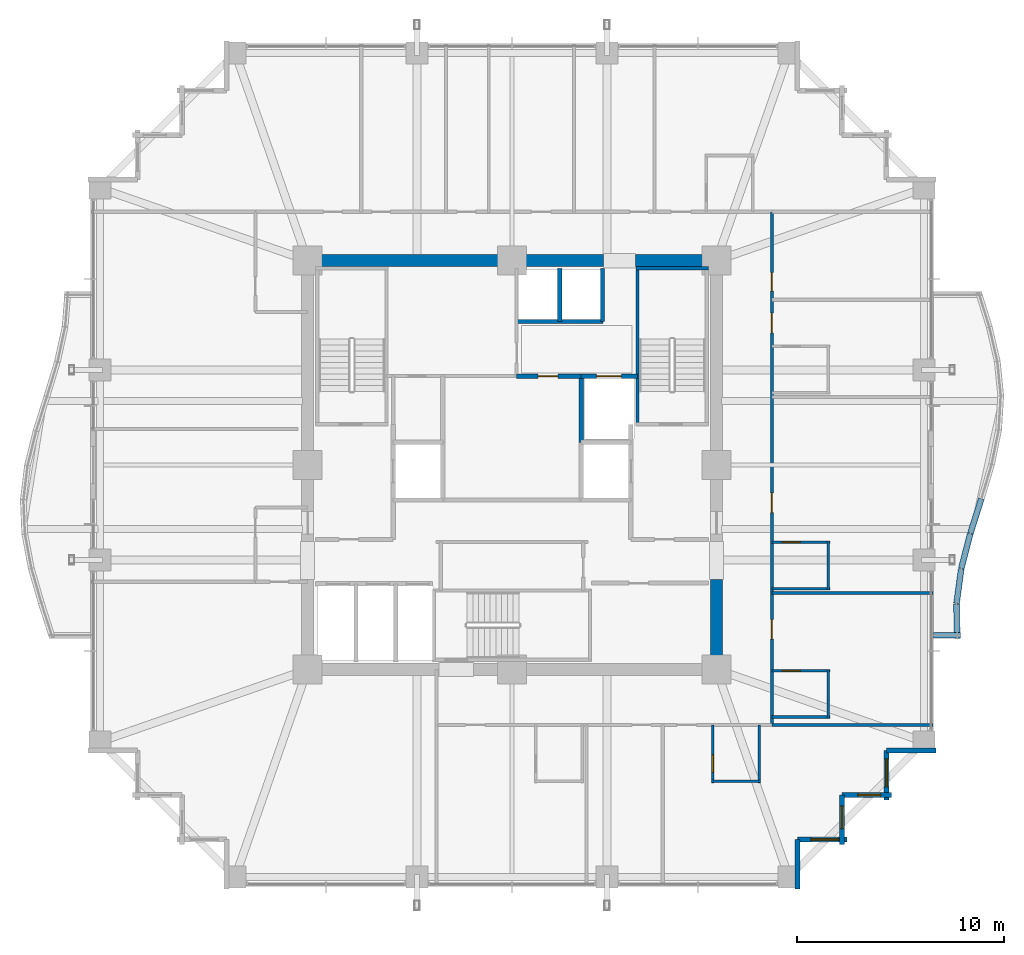
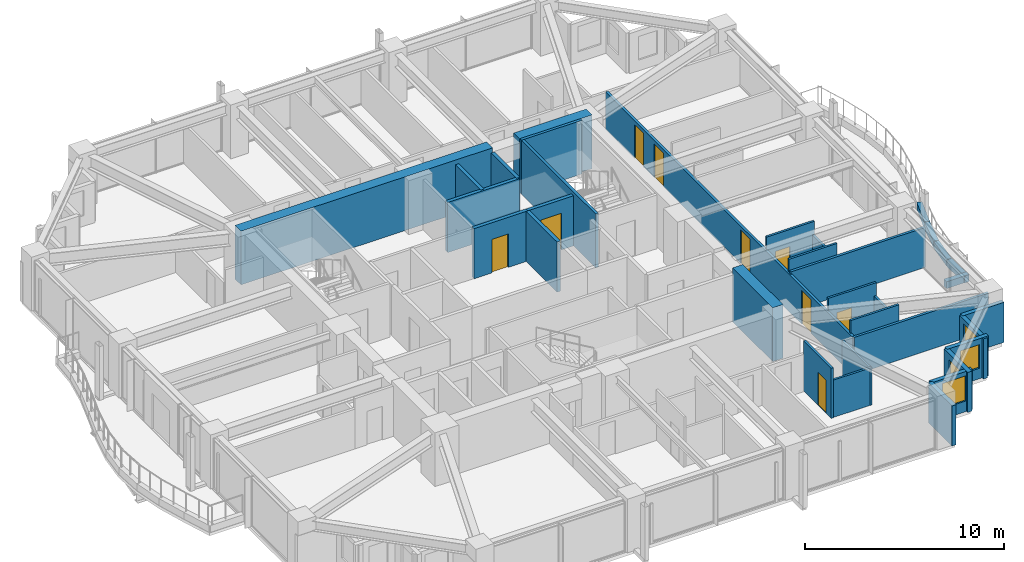
# One storey, part 33 of 37: 34 walls, 9 doors, 4 windows, 13 openings.
"""IFC4 building model written with IfcOpenShell, lengths in metres."""

from ifc_helpers import new_model, si_unit, direction, frame, frame_2d, origin, place, context, subcontext, project, spatial, rectangle, extrude, material, layer, layer_set, type_object, element, fill, save


model = new_model("IFC4")

# Units and contexts
model_context = context("Model", 3, precision=1e-05, world=origin(), true_north=direction((0.0, 1.0)))
body_context = subcontext(model_context, "Body", "Model", "MODEL_VIEW")
ifc_project = project(units=[si_unit("LENGTHUNIT", "METRE"), si_unit("AREAUNIT", "SQUARE_METRE"), si_unit("VOLUMEUNIT", "CUBIC_METRE"), si_unit("PLANEANGLEUNIT", "RADIAN"), si_unit("MASSUNIT", "GRAM", prefix="KILO")], contexts=[model_context])

# Site, building, storey
site_placement = place(None, origin())
site = spatial("IfcSite", under=ifc_project, at=site_placement, CompositionType="ELEMENT")
building_placement = place(site_placement, origin())
building = spatial("IfcBuilding", under=site, at=building_placement, Name="Kolvaren Belvedere", CompositionType="ELEMENT")
storey_placement = place(building_placement, frame((0.0, 0.0, 75.5)))
storey = spatial("IfcBuildingStorey", under=building, at=storey_placement, Name="L21", CompositionType="ELEMENT", Elevation=75.5)

# Walls
ifc_material_1 = material(Name="Concrete C60/75", Category="concrete")
ifc_layer_1 = layer(ifc_material_1, 0.60009765625)
ifc_layer_set_1 = layer_set([ifc_layer_1], Name="Concrete C60/75")
wall_type_1 = type_object("IfcWallType", Name="CW-CORE-600", PredefinedType="SHEAR", material=ifc_layer_set_1)
wall_1_placement = place(storey_placement, frame((-10.199951171875, 9.89990234375, 0.0), z_axis=(0.0, 0.0, 1.0), x_axis=(1.0, 0.0, 0.0)))
element("IfcWall", 1, at=wall_1_placement, inside=storey, type_object=wall_type_1, Name="L21 North Core Shear Wall 1", PredefinedType="SHEAR", context=body_context, shape_type="SweptSolid", body=[
    extrude(rectangle(XDim=14.619873046875, YDim=0.60009765625, at=frame_2d((7.31005859375, 0.0))), origin(), (0.0, 0.0, 1.0), 3.300048828125),
])
wall_2_placement = place(storey_placement, frame((5.97998046875, 9.89990234375, 0.0), z_axis=(0.0, 0.0, 1.0), x_axis=(1.0, 0.0, 0.0)))
element("IfcWall", 2, at=wall_2_placement, inside=storey, type_object=wall_type_1, Name="L21 North Core Shear Wall 2", PredefinedType="SHEAR", context=body_context, shape_type="SweptSolid", body=[
    extrude(rectangle(XDim=4.219970703125, YDim=0.60009765625, at=frame_2d((2.10986328125, 0.0))), origin(), (0.0, 0.0, 1.0), 3.300048828125),
])
wall_3_placement = place(storey_placement, frame((9.89990234375, -9.60009765625, 0.0), z_axis=(0.0, 0.0, 1.0), x_axis=(0.0, 1.0, 0.0)))
element("IfcWall", 3, at=wall_3_placement, inside=storey, type_object=wall_type_1, Name="L21 East Core Shear Wall 1", PredefinedType="SHEAR", context=body_context, shape_type="SweptSolid", body=[
    extrude(rectangle(XDim=4.050048828125, YDim=0.60009765625, at=frame_2d((2.02490234375, 0.0))), origin(), (0.0, 0.0, 1.0), 3.300048828125),
])
ifc_material_2 = material(Name="Concrete C50/60", Category="concrete")
ifc_layer_2 = layer(ifc_material_2, 0.159912109375)
ifc_layer_set_2 = layer_set([ifc_layer_2], Name="Concrete C50/60")
wall_type_2 = type_object("IfcWallType", Name="CW-STAIR-160", PredefinedType="SHEAR", material=ifc_layer_set_2)
wall_4_placement = place(storey_placement, frame((6.0, 9.530029296875, 0.0), z_axis=(0.0, 0.0, 1.0), x_axis=(1.0, 0.0, 0.0)))
element("IfcWall", 4, at=wall_4_placement, inside=storey, type_object=wall_type_2, Name="L21 Stair ST-2 North Shear Wall", PredefinedType="SHEAR", context=body_context, shape_type="SweptSolid", body=[
    extrude(rectangle(XDim=3.52001953125, YDim=0.159912109375, at=frame_2d((1.760009765625, 0.0))), origin(), (0.0, 0.0, 1.0), 3.300048828125),
])
wall_5_placement = place(storey_placement, frame((6.080078125, 1.969970703125, 0.0), z_axis=(0.0, 0.0, 1.0), x_axis=(0.0, 1.0, 0.0)))
element("IfcWall", 5, at=wall_5_placement, inside=storey, type_object=wall_type_2, Name="L21 Stair ST-2 West Shear Wall", PredefinedType="SHEAR", context=body_context, shape_type="SweptSolid", body=[
    extrude(rectangle(XDim=7.56005859375, YDim=0.159912109375, at=frame_2d((3.780029296875, 0.0))), origin(), (0.0, 0.0, 1.0), 3.300048828125),
])

# Wall, openings, doors
ifc_material_3 = material(Name="Gypsum fire-rated partition assembly", Category="gypsum")
ifc_layer_3 = layer(ifc_material_3, 0.14990234375)
ifc_layer_set_3 = layer_set([ifc_layer_3], Name="Gypsum fire-rated partition assembly")
wall_type_3 = type_object("IfcWallType", Name="WL-CORR-150", PredefinedType="PARTITIONING", material=ifc_layer_set_3)
wall_6_placement = place(storey_placement, frame((12.580078125, -12.580078125, 0.0), z_axis=(0.0, 0.0, 1.0), x_axis=(0.0, 1.0, 0.0)))
wall_6 = element("IfcWall", 6, at=wall_6_placement, inside=storey, type_object=wall_type_3, Name="L21 East Corridor Wall", PredefinedType="PARTITIONING", context=body_context, shape_type="SweptSolid", body=[
    extrude(rectangle(XDim=24.840087890625, YDim=0.14990234375, at=frame_2d((12.419921875, 0.0))), origin(), (0.0, 0.0, 1.0), 2.2919921875),
])
opening_1_placement = place(wall_6_placement, frame((4.14892578125, 0.0, 0.0)))
opening_1 = element("IfcOpeningElement", 7, at=opening_1_placement, cuts=wall_6, Name="Opening D-FD60", PredefinedType="OPENING", context=body_context, shape_type="SweptSolid", body=[
    extrude(rectangle(XDim=0.949951171875, YDim=2.06005859375, at=frame_2d((0.47509765625, 1.030029296875))), frame((0.0, 0.0849609375, 0.0), z_axis=(0.0, -1.0, 0.0), x_axis=(1.0, 0.0, 0.0)), (0.0, 0.0, 1.0), 0.169921875),
])
opening_2_placement = place(wall_6_placement, frame((10.279541015625, 0.0, 0.0)))
opening_2 = element("IfcOpeningElement", 8, at=opening_2_placement, cuts=wall_6, Name="Opening D-FD60", PredefinedType="OPENING", context=body_context, shape_type="SweptSolid", body=[
    extrude(rectangle(XDim=0.949951171875, YDim=2.06005859375, at=frame_2d((0.47509765625, 1.030029296875))), frame((0.0, 0.0849609375, 0.0), z_axis=(0.0, -1.0, 0.0), x_axis=(1.0, 0.0, 0.0)), (0.0, 0.0, 1.0), 0.169921875),
])
opening_3_placement = place(wall_6_placement, frame((18.983154296875, 0.0, 0.0)))
opening_3 = element("IfcOpeningElement", 9, at=opening_3_placement, cuts=wall_6, Name="Opening D-FD60", PredefinedType="OPENING", context=body_context, shape_type="SweptSolid", body=[
    extrude(rectangle(XDim=0.949951171875, YDim=2.06005859375, at=frame_2d((0.47509765625, 1.030029296875))), frame((0.0, 0.0849609375, 0.0), z_axis=(0.0, -1.0, 0.0), x_axis=(1.0, 0.0, 0.0)), (0.0, 0.0, 1.0), 0.169921875),
])
opening_4_placement = place(wall_6_placement, frame((20.99560546875, 0.0, 0.0)))
opening_4 = element("IfcOpeningElement", 10, at=opening_4_placement, cuts=wall_6, Name="Opening D-INT90", PredefinedType="OPENING", context=body_context, shape_type="SweptSolid", body=[
    extrude(rectangle(XDim=0.89990234375, YDim=2.06005859375, at=frame_2d((0.449951171875, 1.030029296875))), frame((0.0, 0.0849609375, 0.0), z_axis=(0.0, -1.0, 0.0), x_axis=(1.0, 0.0, 0.0)), (0.0, 0.0, 1.0), 0.169921875),
])
ifc_material_4 = material(Name="Acoustic white-oak fire door leaf", Category="timber")
door_type_1 = type_object("IfcDoorType", Name="DR-FD60-950", OperationType="NOTDEFINED", PredefinedType="DOOR", material=ifc_material_4)
door_1_placement = place(opening_1_placement, origin())
door_1 = element("IfcDoor", 11, at=door_1_placement, inside=storey, type_object=door_type_1, Name="L21 King Guest Room 2105 Entry Door", OperationType="SINGLE_SWING_LEFT", OverallHeight=2.06005859375, OverallWidth=0.949951171875, PredefinedType="DOOR", context=body_context, shape_type="SweptSolid", body=[
    extrude(rectangle(XDim=0.949951171875, YDim=2.06005859375, at=frame_2d((0.47509765625, 1.030029296875))), frame((0.0, 0.02490234375, 0.0), z_axis=(0.0, -1.0, 0.0), x_axis=(1.0, 0.0, 0.0)), (0.0, 0.0, 1.0), 0.050048828125),
])
fill(opening_1, door_1)
door_2_placement = place(opening_2_placement, origin())
door_2 = element("IfcDoor", 12, at=door_2_placement, inside=storey, type_object=door_type_1, Name="L21 Botanical Hospitality Suite 2106 Entry Door", OperationType="SINGLE_SWING_LEFT", OverallHeight=2.06005859375, OverallWidth=0.949951171875, PredefinedType="DOOR", context=body_context, shape_type="SweptSolid", body=[
    extrude(rectangle(XDim=0.949951171875, YDim=2.06005859375, at=frame_2d((0.47509765625, 1.030029296875))), frame((0.0, 0.02490234375, 0.0), z_axis=(0.0, -1.0, 0.0), x_axis=(1.0, 0.0, 0.0)), (0.0, 0.0, 1.0), 0.050048828125),
])
fill(opening_2, door_2)
door_3_placement = place(opening_3_placement, origin())
door_3 = element("IfcDoor", 13, at=door_3_placement, inside=storey, type_object=door_type_1, Name="L21 King Guest Room 2107 Entry Door", OperationType="SINGLE_SWING_LEFT", OverallHeight=2.06005859375, OverallWidth=0.949951171875, PredefinedType="DOOR", context=body_context, shape_type="SweptSolid", body=[
    extrude(rectangle(XDim=0.949951171875, YDim=2.06005859375, at=frame_2d((0.47509765625, 1.030029296875))), frame((0.0, 0.02490234375, 0.0), z_axis=(0.0, -1.0, 0.0), x_axis=(1.0, 0.0, 0.0)), (0.0, 0.0, 1.0), 0.050048828125),
])
fill(opening_3, door_3)
ifc_material_5 = material(Name="Stained Pacific white oak", Category="timber")
door_type_2 = type_object("IfcDoorType", Name="DR-INT-900", OperationType="NOTDEFINED", PredefinedType="DOOR", material=ifc_material_5)
door_4_placement = place(opening_4_placement, origin())
door_4 = element("IfcDoor", 14, at=door_4_placement, inside=storey, type_object=door_type_2, Name="L21 Lounge 2108 Door", OperationType="SINGLE_SWING_RIGHT", OverallHeight=2.06005859375, OverallWidth=0.89990234375, PredefinedType="DOOR", context=body_context, shape_type="SweptSolid", body=[
    extrude(rectangle(XDim=0.89990234375, YDim=2.06005859375, at=frame_2d((0.449951171875, 1.030029296875))), frame((0.0, 0.02490234375, 0.0), z_axis=(0.0, -1.0, 0.0), x_axis=(1.0, 0.0, 0.0)), (0.0, 0.0, 1.0), 0.050048828125),
])
fill(opening_4, door_4)

# Wall
ifc_material_6 = material(Name="Insulated pale-metal facade wall assembly", Category="aluminium")
ifc_layer_4 = layer(ifc_material_6, 0.239990234375)
ifc_layer_set_4 = layer_set([ifc_layer_4], Name="Insulated pale-metal facade wall assembly")
wall_type_4 = type_object("IfcWallType", Name="WL-EXT-240", PredefinedType="STANDARD", material=ifc_layer_set_4)
wall_7_placement = place(storey_placement, frame((13.830078125, -18.1298828125, 0.0), z_axis=(0.0, 0.0, 1.0), x_axis=(0.0, -1.0, 0.0)))
element("IfcWall", 15, at=wall_7_placement, inside=storey, type_object=wall_type_4, Name="L21 Serrated Corner Facade Wall 2", PredefinedType="STANDARD", context=body_context, shape_type="SweptSolid", body=[
    extrude(rectangle(XDim=2.39013671875, YDim=0.239990234375, at=frame_2d((1.195068359375, 0.0))), origin(), (0.0, 0.0, 1.0), 2.458984375),
])

# Wall, opening, window
wall_8_placement = place(storey_placement, frame((16.219970703125, -18.1298828125, 0.0), z_axis=(0.0, 0.0, 1.0), x_axis=(-1.0, 0.0, 0.0)))
wall_8 = element("IfcWall", 16, at=wall_8_placement, inside=storey, type_object=wall_type_4, Name="L21 Serrated Corner Facade Wall 3", PredefinedType="STANDARD", context=body_context, shape_type="SweptSolid", body=[
    extrude(rectangle(XDim=2.389892578125, YDim=0.239990234375, at=frame_2d((1.19482421875, 0.0))), origin(), (0.0, 0.0, 1.0), 2.458984375),
])
opening_5_placement = place(wall_8_placement, frame((0.39990234375, 0.0, 0.64990234375)))
opening_5 = element("IfcOpeningElement", 17, at=opening_5_placement, cuts=wall_8, Name="Opening W-1350", PredefinedType="OPENING", context=body_context, shape_type="SweptSolid", body=[
    extrude(rectangle(XDim=1.35009765625, YDim=1.550048828125, at=frame_2d((0.675048828125, 0.77490234375))), frame((0.0, 0.1298828125, 0.0), z_axis=(0.0, -1.0, 0.0), x_axis=(1.0, 0.0, 0.0)), (0.0, 0.0, 1.0), 0.260009765625),
])
ifc_material_7 = material(Name="Low-iron triple insulated glass", Category="glass")
window_type_1 = type_object("IfcWindowType", Name="WN-CORN-1350", PartitioningType="SINGLE_PANEL", PredefinedType="WINDOW", material=ifc_material_7)
window_1_placement = place(opening_5_placement, origin())
window_1 = element("IfcWindow", 18, at=window_1_placement, inside=storey, type_object=window_type_1, Name="L21 Serrated Corner Vision Window 3", OverallHeight=1.550048828125, OverallWidth=1.35009765625, PartitioningType="SINGLE_PANEL", PredefinedType="WINDOW", context=body_context, shape_type="SweptSolid", body=[
    extrude(rectangle(XDim=1.35009765625, YDim=1.550048828125, at=frame_2d((0.675048828125, 0.77490234375))), frame((0.0, 0.030029296875, 0.0), z_axis=(0.0, -1.0, 0.0), x_axis=(1.0, 0.0, 0.0)), (0.0, 0.0, 1.0), 0.06005859375),
])
fill(opening_5, window_1)

wall_9_placement = place(storey_placement, frame((15.97998046875, -15.97998046875, 0.0), z_axis=(0.0, 0.0, 1.0), x_axis=(0.0, -1.0, 0.0)))
wall_9 = element("IfcWall", 19, at=wall_9_placement, inside=storey, type_object=wall_type_4, Name="L21 Serrated Corner Facade Wall 4", PredefinedType="STANDARD", context=body_context, shape_type="SweptSolid", body=[
    extrude(rectangle(XDim=2.39013671875, YDim=0.239990234375, at=frame_2d((1.195068359375, 0.0))), origin(), (0.0, 0.0, 1.0), 2.458984375),
])
opening_6_placement = place(wall_9_placement, frame((0.52490234375, 0.0, 0.64990234375)))
opening_6 = element("IfcOpeningElement", 20, at=opening_6_placement, cuts=wall_9, Name="Opening W-1100", PredefinedType="OPENING", context=body_context, shape_type="SweptSolid", body=[
    extrude(rectangle(XDim=1.10009765625, YDim=1.449951171875, at=frame_2d((0.550048828125, 0.72509765625))), frame((0.0, 0.1298828125, 0.0), z_axis=(0.0, -1.0, 0.0), x_axis=(1.0, 0.0, 0.0)), (0.0, 0.0, 1.0), 0.260009765625),
])
ifc_material_8 = material(Name="Low-iron triple insulated glass", Category="glass")
window_type_2 = type_object("IfcWindowType", Name="WN-CORN-1100", PartitioningType="SINGLE_PANEL", PredefinedType="WINDOW", material=ifc_material_8)
window_2_placement = place(opening_6_placement, origin())
window_2 = element("IfcWindow", 21, at=window_2_placement, inside=storey, type_object=window_type_2, Name="L21 Serrated Corner Vision Window 4", OverallHeight=1.449951171875, OverallWidth=1.10009765625, PartitioningType="SINGLE_PANEL", PredefinedType="WINDOW", context=body_context, shape_type="SweptSolid", body=[
    extrude(rectangle(XDim=1.10009765625, YDim=1.449951171875, at=frame_2d((0.550048828125, 0.72509765625))), frame((0.0, 0.030029296875, 0.0), z_axis=(0.0, -1.0, 0.0), x_axis=(1.0, 0.0, 0.0)), (0.0, 0.0, 1.0), 0.06005859375),
])
fill(opening_6, window_2)

wall_10_placement = place(storey_placement, frame((18.3701171875, -15.97998046875, 0.0), z_axis=(0.0, 0.0, 1.0), x_axis=(-1.0, 0.0, 0.0)))
wall_10 = element("IfcWall", 22, at=wall_10_placement, inside=storey, type_object=wall_type_4, Name="L21 Serrated Corner Facade Wall 5", PredefinedType="STANDARD", context=body_context, shape_type="SweptSolid", body=[
    extrude(rectangle(XDim=2.39013671875, YDim=0.239990234375, at=frame_2d((1.195068359375, 0.0))), origin(), (0.0, 0.0, 1.0), 2.458984375),
])
opening_7_placement = place(wall_10_placement, frame((0.52490234375, 0.0, 0.64990234375)))
opening_7 = element("IfcOpeningElement", 23, at=opening_7_placement, cuts=wall_10, Name="Opening W-1100", PredefinedType="OPENING", context=body_context, shape_type="SweptSolid", body=[
    extrude(rectangle(XDim=1.10009765625, YDim=1.449951171875, at=frame_2d((0.550048828125, 0.72509765625))), frame((0.0, 0.1298828125, 0.0), z_axis=(0.0, -1.0, 0.0), x_axis=(1.0, 0.0, 0.0)), (0.0, 0.0, 1.0), 0.260009765625),
])
window_3_placement = place(opening_7_placement, origin())
window_3 = element("IfcWindow", 24, at=window_3_placement, inside=storey, type_object=window_type_2, Name="L21 Serrated Corner Vision Window 5", OverallHeight=1.449951171875, OverallWidth=1.10009765625, PartitioningType="SINGLE_PANEL", PredefinedType="WINDOW", context=body_context, shape_type="SweptSolid", body=[
    extrude(rectangle(XDim=1.10009765625, YDim=1.449951171875, at=frame_2d((0.550048828125, 0.72509765625))), frame((0.0, 0.030029296875, 0.0), z_axis=(0.0, -1.0, 0.0), x_axis=(1.0, 0.0, 0.0)), (0.0, 0.0, 1.0), 0.06005859375),
])
fill(opening_7, window_3)

wall_11_placement = place(storey_placement, frame((18.1298828125, -13.830078125, 0.0), z_axis=(0.0, 0.0, 1.0), x_axis=(0.0, -1.0, 0.0)))
wall_11 = element("IfcWall", 25, at=wall_11_placement, inside=storey, type_object=wall_type_4, Name="L21 Serrated Corner Facade Wall 6", PredefinedType="STANDARD", context=body_context, shape_type="SweptSolid", body=[
    extrude(rectangle(XDim=2.389892578125, YDim=0.239990234375, at=frame_2d((1.19482421875, 0.0))), origin(), (0.0, 0.0, 1.0), 2.458984375),
])
opening_8_placement = place(wall_11_placement, frame((0.39990234375, 0.0, 0.64990234375)))
opening_8 = element("IfcOpeningElement", 26, at=opening_8_placement, cuts=wall_11, Name="Opening W-1350", PredefinedType="OPENING", context=body_context, shape_type="SweptSolid", body=[
    extrude(rectangle(XDim=1.35009765625, YDim=1.550048828125, at=frame_2d((0.675048828125, 0.77490234375))), frame((0.0, 0.1298828125, 0.0), z_axis=(0.0, -1.0, 0.0), x_axis=(1.0, 0.0, 0.0)), (0.0, 0.0, 1.0), 0.260009765625),
])
window_4_placement = place(opening_8_placement, origin())
window_4 = element("IfcWindow", 27, at=window_4_placement, inside=storey, type_object=window_type_1, Name="L21 Serrated Corner Vision Window 6", OverallHeight=1.550048828125, OverallWidth=1.35009765625, PartitioningType="SINGLE_PANEL", PredefinedType="WINDOW", context=body_context, shape_type="SweptSolid", body=[
    extrude(rectangle(XDim=1.35009765625, YDim=1.550048828125, at=frame_2d((0.675048828125, 0.77490234375))), frame((0.0, 0.030029296875, 0.0), z_axis=(0.0, -1.0, 0.0), x_axis=(1.0, 0.0, 0.0)), (0.0, 0.0, 1.0), 0.06005859375),
])
fill(opening_8, window_4)

# Walls
wall_12_placement = place(storey_placement, frame((20.52001953125, -13.830078125, 0.0), z_axis=(0.0, 0.0, 1.0), x_axis=(-1.0, 0.0, 0.0)))
element("IfcWall", 28, at=wall_12_placement, inside=storey, type_object=wall_type_4, Name="L21 Serrated Corner Facade Wall 7", PredefinedType="STANDARD", context=body_context, shape_type="SweptSolid", body=[
    extrude(rectangle(XDim=2.39013671875, YDim=0.239990234375, at=frame_2d((1.195068359375, 0.0))), origin(), (0.0, 0.0, 1.0), 2.458984375),
])
ifc_material_9 = material(Name="Gypsum acoustic partition assembly", Category="gypsum")
ifc_layer_5 = layer(ifc_material_9, 0.14990234375)
ifc_layer_set_5 = layer_set([ifc_layer_5], Name="Gypsum acoustic partition assembly")
wall_type_5 = type_object("IfcWallType", Name="WL-PART-150", PredefinedType="PARTITIONING", material=ifc_layer_set_5)
wall_13_placement = place(storey_placement, frame((12.580078125, -12.580078125, 0.0), z_axis=(0.0, 0.0, 1.0), x_axis=(1.0, 0.0, 0.0)))
element("IfcWall", 29, at=wall_13_placement, inside=storey, type_object=wall_type_5, Name="L21 Wing Divider PW-L21-QSE", PredefinedType="PARTITIONING", context=body_context, shape_type="SweptSolid", body=[
    extrude(rectangle(XDim=7.7998046875, YDim=0.14990234375, at=frame_2d((3.89990234375, 0.0))), origin(), (0.0, 0.0, 1.0), 2.2919921875),
])
wall_14_placement = place(storey_placement, frame((12.580078125, -6.199951171875, 0.0), z_axis=(0.0, 0.0, 1.0), x_axis=(1.0, 0.0, 0.0)))
element("IfcWall", 30, at=wall_14_placement, inside=storey, type_object=wall_type_5, Name="L21 East Suite Demising Wall 1", PredefinedType="PARTITIONING", context=body_context, shape_type="SweptSolid", body=[
    extrude(rectangle(XDim=7.7998046875, YDim=0.14990234375, at=frame_2d((3.89990234375, 0.0))), origin(), (0.0, 0.0, 1.0), 2.448974609375),
])
ifc_material_10 = material(Name="Precast concrete C40/50", Category="concrete")
ifc_layer_6 = layer(ifc_material_10, 0.300048828125)
ifc_layer_set_6 = layer_set([ifc_layer_6], Name="Precast concrete C40/50")
wall_type_6 = type_object("IfcWallType", Name="WL-PLANTER-300", PredefinedType="PARAPET", material=ifc_layer_set_6)
wall_15_placement = place(storey_placement, frame((21.552978515625, -8.4033203125, -0.0400390625), z_axis=(0.0, 0.0, 1.0), x_axis=(-0.020193498486, 0.99979609052, 0.0)))
element("IfcWall", 31, at=wall_15_placement, inside=storey, type_object=wall_type_6, Name="L21 Precast Structural Planter Wall BAL-E-1", PredefinedType="PARAPET", context=body_context, shape_type="SweptSolid", body=[
    extrude(rectangle(XDim=1.680419921875, YDim=0.280029296875, at=frame_2d((0.84033203125, 0.0))), origin(), (0.0, 0.0, 1.0), 0.419921875),
])
wall_16_placement = place(storey_placement, frame((21.5205078125, -6.698486328125, -0.0400390625), z_axis=(0.0, 0.0, 1.0), x_axis=(0.134907602079, 0.990858183042, 0.0)))
element("IfcWall", 32, at=wall_16_placement, inside=storey, type_object=wall_type_6, Name="L21 Precast Structural Planter Wall BAL-E-2", PredefinedType="PARAPET", context=body_context, shape_type="SweptSolid", body=[
    extrude(rectangle(XDim=1.695556640625, YDim=0.280029296875, at=frame_2d((0.84765625, 0.0))), origin(), (0.0, 0.0, 1.0), 0.419921875),
])
wall_17_placement = place(storey_placement, frame((21.7529296875, -5.0, -0.0400390625), z_axis=(0.0, 0.0, 1.0), x_axis=(0.250405556038, 0.968141031826, 0.0)))
element("IfcWall", 33, at=wall_17_placement, inside=storey, type_object=wall_type_6, Name="L21 Precast Structural Planter Wall BAL-E-3", PredefinedType="PARAPET", context=body_context, shape_type="SweptSolid", body=[
    extrude(rectangle(XDim=1.7353515625, YDim=0.280029296875, at=frame_2d((0.86767578125, 0.0))), origin(), (0.0, 0.0, 1.0), 0.419921875),
])
wall_18_placement = place(storey_placement, frame((22.18994140625, -3.3115234375, -0.0400390625), z_axis=(0.0, 0.0, 1.0), x_axis=(0.302397356111, 0.953181954832, 0.0)))
element("IfcWall", 34, at=wall_18_placement, inside=storey, type_object=wall_type_6, Name="L21 Precast Structural Planter Wall BAL-E-4", PredefinedType="PARAPET", context=body_context, shape_type="SweptSolid", body=[
    extrude(rectangle(XDim=1.762451171875, YDim=0.280029296875, at=frame_2d((0.88134765625, 0.0))), origin(), (0.0, 0.0, 1.0), 0.419921875),
])
wall_19_placement = place(storey_placement, frame((20.39990234375, -8.239990234375, -0.0400390625), z_axis=(0.0, 0.0, 1.0), x_axis=(1.0, 0.0, 0.0)))
element("IfcWall", 35, at=wall_19_placement, inside=storey, type_object=wall_type_6, Name="L21 Precast Structural Planter Wall BAL-E-22", PredefinedType="PARAPET", context=body_context, shape_type="SweptSolid", body=[
    extrude(rectangle(XDim=1.31298828125, YDim=0.280029296875, at=frame_2d((0.656494140625, 0.0))), origin(), (0.0, 0.0, 1.0), 0.419921875),
])

# Wall, opening, door
ifc_material_11 = material(Name="Concrete C50/60", Category="concrete")
ifc_layer_7 = layer(ifc_material_11, 0.199951171875)
ifc_layer_set_7 = layer_set([ifc_layer_7], Name="Concrete C50/60")
wall_type_7 = type_object("IfcWallType", Name="WL-SHAFT-200", PredefinedType="SOLIDWALL", material=ifc_layer_set_7)
wall_20_placement = place(storey_placement, frame((3.35009765625, 4.300048828125, 0.0), z_axis=(0.0, 0.0, 1.0), x_axis=(1.0, 0.0, 0.0)))
wall_20 = element("IfcWall", 36, at=wall_20_placement, inside=storey, type_object=wall_type_7, Name="L21 Service Lift SV1 Front Wall", PredefinedType="SOLIDWALL", context=body_context, shape_type="SweptSolid", body=[
    extrude(rectangle(XDim=2.72998046875, YDim=0.199951171875, at=frame_2d((1.364990234375, 0.0))), origin(), (0.0, 0.0, 1.0), 3.080078125),
])
opening_9_placement = place(wall_20_placement, frame((0.75, 0.0, 0.0)))
opening_9 = element("IfcOpeningElement", 37, at=opening_9_placement, cuts=wall_20, Name="Opening LD-12", PredefinedType="OPENING", context=body_context, shape_type="SweptSolid", body=[
    extrude(rectangle(XDim=1.199951171875, YDim=2.25, at=frame_2d((0.60009765625, 1.125))), frame((0.0, 0.10986328125, 0.0), z_axis=(0.0, -1.0, 0.0), x_axis=(1.0, 0.0, 0.0)), (0.0, 0.0, 1.0), 0.219970703125),
])
ifc_material_12 = material(Name="Brushed stainless steel", Category="steel")
door_type_3 = type_object("IfcDoorType", Name="DR-LIFT-1200", OperationType="DOUBLE_DOOR_SLIDING", PredefinedType="DOOR", material=ifc_material_12)
door_5_placement = place(opening_9_placement, origin())
door_5 = element("IfcDoor", 38, at=door_5_placement, inside=storey, type_object=door_type_3, Name="L21 Service Lift SV1 Landing Door", OperationType="DOUBLE_DOOR_SLIDING", OverallHeight=2.25, OverallWidth=1.199951171875, PredefinedType="DOOR", context=body_context, shape_type="SweptSolid", body=[
    extrude(rectangle(XDim=1.199951171875, YDim=2.25, at=frame_2d((0.60009765625, 1.125))), frame((0.0, 0.02490234375, 0.0), z_axis=(0.0, -1.0, 0.0), x_axis=(1.0, 0.0, 0.0)), (0.0, 0.0, 1.0), 0.050048828125),
])
fill(opening_9, door_5)

# Walls
wall_21_placement = place(storey_placement, frame((0.219970703125, 6.949951171875, 0.0), z_axis=(0.0, 0.0, 1.0), x_axis=(1.0, 0.0, 0.0)))
element("IfcWall", 39, at=wall_21_placement, inside=storey, type_object=wall_type_7, Name="L21 Express Shuttle Hoistway Wall", PredefinedType="SOLIDWALL", context=body_context, shape_type="SweptSolid", body=[
    extrude(rectangle(XDim=4.179931640625, YDim=0.199951171875, at=frame_2d((2.08984375, 0.0))), origin(), (0.0, 0.0, 1.0), 3.080078125),
])
for number, where, z_axis, x_axis, name in (
    (40, (4.3798828125, 6.949951171875, 0.0), (0.0, 0.0, 1.0), (0.0, 1.0, 0.0), "L21 Express Shuttle East Wall"),
    (41, (2.31005859375, 6.949951171875, 0.0), (0.0, 0.0, 1.0), (0.0, 1.0, 0.0), "L21 Express Shuttle Divider"),
):
    element("IfcWall", number, at=place(storey_placement, frame(where, z_axis=z_axis, x_axis=x_axis)), inside=storey, type_object=wall_type_7, Name=name, PredefinedType="SOLIDWALL", context=body_context, shape_type="SweptSolid", body=[
        extrude(rectangle(XDim=2.570068359375, YDim=0.199951171875, at=frame_2d((1.28515625, 0.0))), origin(), (0.0, 0.0, 1.0), 3.080078125),
    ])

# Wall, opening, door
wall_22_placement = place(storey_placement, frame((0.219970703125, 4.300048828125, 0.0), z_axis=(0.0, 0.0, 1.0), x_axis=(1.0, 0.0, 0.0)))
wall_22 = element("IfcWall", 42, at=wall_22_placement, inside=storey, type_object=wall_type_7, Name="L21 Central Core Room North Wall", PredefinedType="SOLIDWALL", context=body_context, shape_type="SweptSolid", body=[
    extrude(rectangle(XDim=3.130126953125, YDim=0.199951171875, at=frame_2d((1.56494140625, 0.0))), origin(), (0.0, 0.0, 1.0), 3.080078125),
])
opening_10_placement = place(wall_22_placement, frame((1.050048828125, 0.0, 0.0)))
opening_10 = element("IfcOpeningElement", 43, at=opening_10_placement, cuts=wall_22, Name="Opening D-FD60", PredefinedType="OPENING", context=body_context, shape_type="SweptSolid", body=[
    extrude(rectangle(XDim=0.949951171875, YDim=2.06005859375, at=frame_2d((0.47509765625, 1.030029296875))), frame((0.0, 0.10986328125, 0.0), z_axis=(0.0, -1.0, 0.0), x_axis=(1.0, 0.0, 0.0)), (0.0, 0.0, 1.0), 0.219970703125),
])
door_6_placement = place(opening_10_placement, origin())
door_6 = element("IfcDoor", 44, at=door_6_placement, inside=storey, type_object=door_type_1, Name="L21 Central Core Controls Door", OperationType="SINGLE_SWING_LEFT", OverallHeight=2.06005859375, OverallWidth=0.949951171875, PredefinedType="DOOR", context=body_context, shape_type="SweptSolid", body=[
    extrude(rectangle(XDim=0.949951171875, YDim=2.06005859375, at=frame_2d((0.47509765625, 1.030029296875))), frame((0.0, 0.02490234375, 0.0), z_axis=(0.0, -1.0, 0.0), x_axis=(1.0, 0.0, 0.0)), (0.0, 0.0, 1.0), 0.050048828125),
])
fill(opening_10, door_6)

# Wall
wall_23_placement = place(storey_placement, frame((3.35009765625, 1.10009765625, 0.0), z_axis=(0.0, 0.0, 1.0), x_axis=(0.0, 1.0, 0.0)))
element("IfcWall", 45, at=wall_23_placement, inside=storey, type_object=wall_type_7, Name="L21 Central Core Room East Wall", PredefinedType="SOLIDWALL", context=body_context, shape_type="SweptSolid", body=[
    extrude(rectangle(XDim=3.199951171875, YDim=0.199951171875, at=frame_2d((1.60009765625, 0.0))), origin(), (0.0, 0.0, 1.0), 3.080078125),
])

# Wall, opening, door
ifc_material_13 = material(Name="Moisture-resistant gypsum partition", Category="gypsum")
ifc_layer_8 = layer(ifc_material_13, 0.125)
ifc_layer_set_8 = layer_set([ifc_layer_8], Name="Moisture-resistant gypsum partition")
wall_type_8 = type_object("IfcWallType", Name="WL-WET-125", PredefinedType="PARTITIONING", material=ifc_layer_set_8)
wall_24_placement = place(storey_placement, frame((12.594970703125, -9.950927734375, 0.0), z_axis=(0.0, 0.0, 1.0), x_axis=(1.0, 0.0, 0.0)))
wall_24 = element("IfcWall", 46, at=wall_24_placement, inside=storey, type_object=wall_type_8, Name="L21 Bathroom Partition PW-L21-BTH-5-N", PredefinedType="PARTITIONING", context=body_context, shape_type="SweptSolid", body=[
    extrude(rectangle(XDim=2.7900390625, YDim=0.125, at=frame_2d((1.39501953125, 0.0))), origin(), (0.0, 0.0, 1.0), 3.080078125),
])
opening_11_placement = place(wall_24_placement, frame((0.5, 0.0, 0.0)))
opening_11 = element("IfcOpeningElement", 47, at=opening_11_placement, cuts=wall_24, Name="Opening D-BTH85", PredefinedType="OPENING", context=body_context, shape_type="SweptSolid", body=[
    extrude(rectangle(XDim=0.85009765625, YDim=2.030029296875, at=frame_2d((0.425048828125, 1.01513671875))), frame((0.0, 0.072509765625, 0.0), z_axis=(0.0, -1.0, 0.0), x_axis=(1.0, 0.0, 0.0)), (0.0, 0.0, 1.0), 0.14501953125),
])
ifc_material_14 = material(Name="Moisture-sealed Pacific white oak", Category="timber")
door_type_4 = type_object("IfcDoorType", Name="DR-BATH-850", OperationType="NOTDEFINED", PredefinedType="DOOR", material=ifc_material_14)
door_7_placement = place(opening_11_placement, origin())
door_7 = element("IfcDoor", 48, at=door_7_placement, inside=storey, type_object=door_type_4, Name="L21 En-Suite Bathroom 2105 Door", OperationType="SINGLE_SWING_RIGHT", OverallHeight=2.030029296875, OverallWidth=0.85009765625, PredefinedType="DOOR", context=body_context, shape_type="SweptSolid", body=[
    extrude(rectangle(XDim=0.85009765625, YDim=2.030029296875, at=frame_2d((0.425048828125, 1.01513671875))), frame((0.0, 0.02490234375, 0.0), z_axis=(0.0, -1.0, 0.0), x_axis=(1.0, 0.0, 0.0)), (0.0, 0.0, 1.0), 0.050048828125),
])
fill(opening_11, door_7)

# Walls
wall_25_placement = place(storey_placement, frame((15.304931640625, -12.260986328125, 0.0), z_axis=(0.0, 0.0, 1.0), x_axis=(0.0, 1.0, 0.0)))
element("IfcWall", 49, at=wall_25_placement, inside=storey, type_object=wall_type_8, Name="L21 Bathroom Partition PW-L21-BTH-5-V", PredefinedType="PARTITIONING", context=body_context, shape_type="SweptSolid", body=[
    extrude(rectangle(XDim=2.369873046875, YDim=0.125, at=frame_2d((1.18505859375, 0.0))), origin(), (0.0, 0.0, 1.0), 2.2919921875),
])
wall_26_placement = place(storey_placement, frame((12.594970703125, -12.200927734375, 0.0), z_axis=(0.0, 0.0, 1.0), x_axis=(1.0, 0.0, 0.0)))
element("IfcWall", 50, at=wall_26_placement, inside=storey, type_object=wall_type_8, Name="L21 Bathroom Partition PW-L21-BTH-5-S", PredefinedType="PARTITIONING", context=body_context, shape_type="SweptSolid", body=[
    extrude(rectangle(XDim=2.7900390625, YDim=0.125, at=frame_2d((1.39501953125, 0.0))), origin(), (0.0, 0.0, 1.0), 3.080078125),
])

# Wall, opening, door
wall_27_placement = place(storey_placement, frame((12.594970703125, -3.740966796875, 0.0), z_axis=(0.0, 0.0, 1.0), x_axis=(1.0, 0.0, 0.0)))
wall_27 = element("IfcWall", 51, at=wall_27_placement, inside=storey, type_object=wall_type_8, Name="L21 Bathroom Partition PW-L21-BTH-6-N", PredefinedType="PARTITIONING", context=body_context, shape_type="SweptSolid", body=[
    extrude(rectangle(XDim=2.7900390625, YDim=0.125, at=frame_2d((1.39501953125, 0.0))), origin(), (0.0, 0.0, 1.0), 3.080078125),
])
opening_12_placement = place(wall_27_placement, frame((0.5, 0.0, 0.0)))
opening_12 = element("IfcOpeningElement", 52, at=opening_12_placement, cuts=wall_27, Name="Opening D-BTH85", PredefinedType="OPENING", context=body_context, shape_type="SweptSolid", body=[
    extrude(rectangle(XDim=0.85009765625, YDim=2.030029296875, at=frame_2d((0.425048828125, 1.01513671875))), frame((0.0, 0.072509765625, 0.0), z_axis=(0.0, -1.0, 0.0), x_axis=(1.0, 0.0, 0.0)), (0.0, 0.0, 1.0), 0.14501953125),
])
door_8_placement = place(opening_12_placement, origin())
door_8 = element("IfcDoor", 53, at=door_8_placement, inside=storey, type_object=door_type_4, Name="L21 En-Suite Bathroom 2106 Door", OperationType="SINGLE_SWING_RIGHT", OverallHeight=2.030029296875, OverallWidth=0.85009765625, PredefinedType="DOOR", context=body_context, shape_type="SweptSolid", body=[
    extrude(rectangle(XDim=0.85009765625, YDim=2.030029296875, at=frame_2d((0.425048828125, 1.01513671875))), frame((0.0, 0.02490234375, 0.0), z_axis=(0.0, -1.0, 0.0), x_axis=(1.0, 0.0, 0.0)), (0.0, 0.0, 1.0), 0.050048828125),
])
fill(opening_12, door_8)

# Walls
wall_28_placement = place(storey_placement, frame((15.304931640625, -6.051025390625, 0.0), z_axis=(0.0, 0.0, 1.0), x_axis=(0.0, 1.0, 0.0)))
element("IfcWall", 54, at=wall_28_placement, inside=storey, type_object=wall_type_8, Name="L21 Bathroom Partition PW-L21-BTH-6-V", PredefinedType="PARTITIONING", context=body_context, shape_type="SweptSolid", body=[
    extrude(rectangle(XDim=2.3701171875, YDim=0.125, at=frame_2d((1.18505859375, 0.0))), origin(), (0.0, 0.0, 1.0), 2.2919921875),
])
wall_29_placement = place(storey_placement, frame((12.594970703125, -5.990966796875, 0.0), z_axis=(0.0, 0.0, 1.0), x_axis=(1.0, 0.0, 0.0)))
element("IfcWall", 55, at=wall_29_placement, inside=storey, type_object=wall_type_8, Name="L21 Bathroom Partition PW-L21-BTH-6-S", PredefinedType="PARTITIONING", context=body_context, shape_type="SweptSolid", body=[
    extrude(rectangle(XDim=2.7900390625, YDim=0.125, at=frame_2d((1.39501953125, 0.0))), origin(), (0.0, 0.0, 1.0), 3.080078125),
])

# Wall, opening, door
wall_30_placement = place(storey_placement, frame((9.718994140625, -15.385009765625, 0.0), z_axis=(0.0, 0.0, 1.0), x_axis=(0.0, 1.0, 0.0)))
wall_30 = element("IfcWall", 56, at=wall_30_placement, inside=storey, type_object=wall_type_8, Name="L21 Bathroom Partition PW-L21-BTH-14-E", PredefinedType="PARTITIONING", context=body_context, shape_type="SweptSolid", body=[
    extrude(rectangle(XDim=2.7900390625, YDim=0.125, at=frame_2d((1.39501953125, 0.0))), origin(), (0.0, 0.0, 1.0), 3.080078125),
])
opening_13_placement = place(wall_30_placement, frame((0.5, 0.0, 0.0)))
opening_13 = element("IfcOpeningElement", 57, at=opening_13_placement, cuts=wall_30, Name="Opening D-BTH85", PredefinedType="OPENING", context=body_context, shape_type="SweptSolid", body=[
    extrude(rectangle(XDim=0.85009765625, YDim=2.030029296875, at=frame_2d((0.425048828125, 1.01513671875))), frame((0.0, 0.072509765625, 0.0), z_axis=(0.0, -1.0, 0.0), x_axis=(1.0, 0.0, 0.0)), (0.0, 0.0, 1.0), 0.14501953125),
])
door_9_placement = place(opening_13_placement, origin())
door_9 = element("IfcDoor", 58, at=door_9_placement, inside=storey, type_object=door_type_4, Name="L21 En-Suite Bathroom 2114 Door", OperationType="SINGLE_SWING_LEFT", OverallHeight=2.030029296875, OverallWidth=0.85009765625, PredefinedType="DOOR", context=body_context, shape_type="SweptSolid", body=[
    extrude(rectangle(XDim=0.85009765625, YDim=2.030029296875, at=frame_2d((0.425048828125, 1.01513671875))), frame((0.0, 0.02490234375, 0.0), z_axis=(0.0, -1.0, 0.0), x_axis=(1.0, 0.0, 0.0)), (0.0, 0.0, 1.0), 0.050048828125),
])
fill(opening_13, door_9)

# Walls
wall_31_placement = place(storey_placement, frame((9.658935546875, -15.304931640625, 0.0), z_axis=(0.0, 0.0, 1.0), x_axis=(1.0, 0.0, 0.0)))
element("IfcWall", 59, at=wall_31_placement, inside=storey, type_object=wall_type_8, Name="L21 Bathroom Partition PW-L21-BTH-14-H", PredefinedType="PARTITIONING", context=body_context, shape_type="SweptSolid", body=[
    extrude(rectangle(XDim=2.3701171875, YDim=0.125, at=frame_2d((1.18505859375, 0.0))), origin(), (0.0, 0.0, 1.0), 2.2919921875),
])
wall_32_placement = place(storey_placement, frame((11.968994140625, -15.385009765625, 0.0), z_axis=(0.0, 0.0, 1.0), x_axis=(0.0, 1.0, 0.0)))
element("IfcWall", 60, at=wall_32_placement, inside=storey, type_object=wall_type_8, Name="L21 Bathroom Partition PW-L21-BTH-14-W", PredefinedType="PARTITIONING", context=body_context, shape_type="SweptSolid", body=[
    extrude(rectangle(XDim=2.7900390625, YDim=0.125, at=frame_2d((1.39501953125, 0.0))), origin(), (0.0, 0.0, 1.0), 2.2919921875),
])

save(model, "model.ifc")
